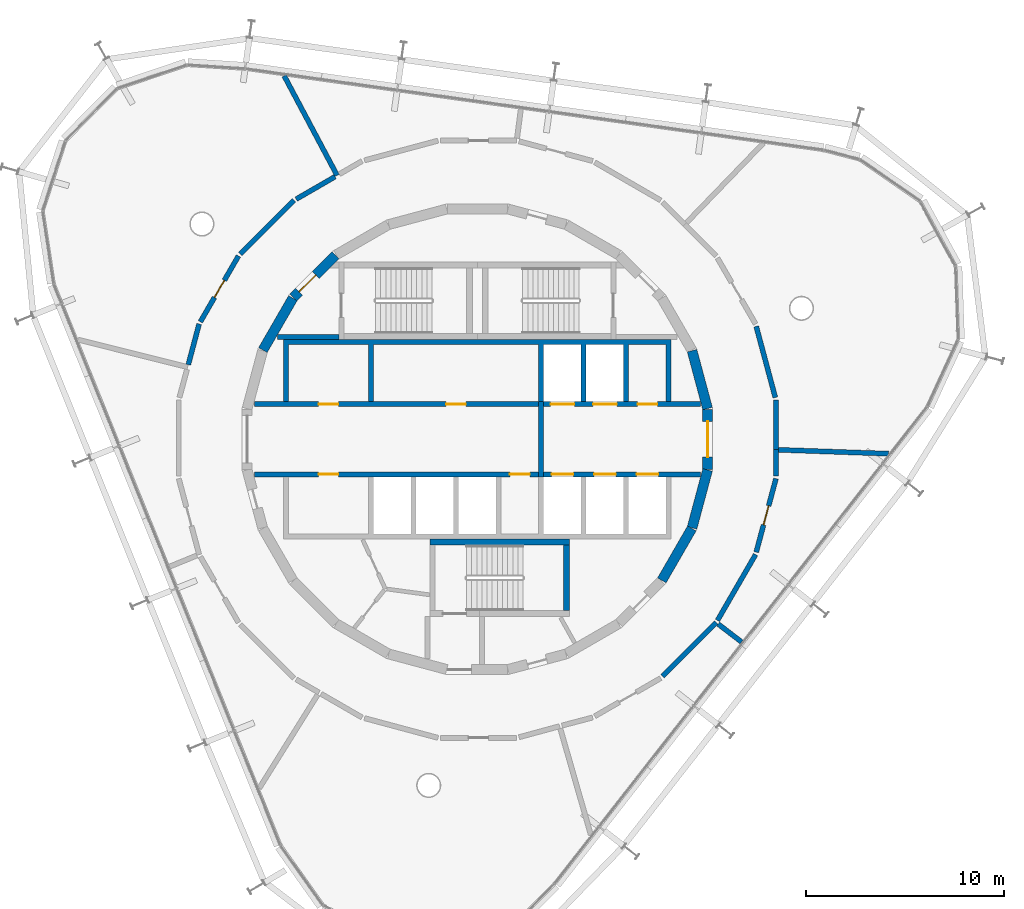
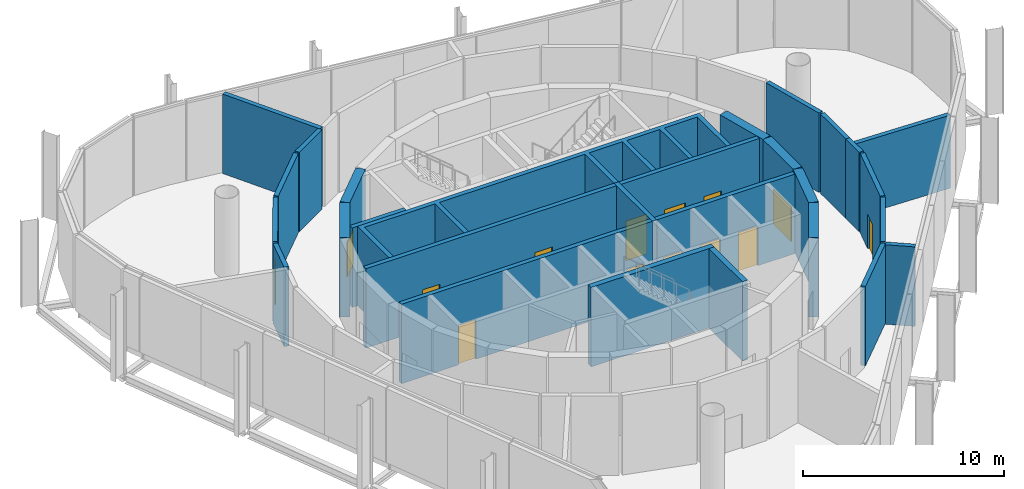
# One storey, part 10 of 12: 28 walls, 14 doors, 14 openings.
"""IFC4 building model written with IfcOpenShell, lengths in metres."""

from ifc_helpers import new_model, si_unit, direction, frame, frame_2d, origin, place, context, subcontext, project, spatial, polyline, rectangle, outline, extrude, material, layer, layer_set, type_object, element, fill, save


model = new_model("IFC4")

# Units and contexts
model_context = context("Model", 3, precision=1e-05, world=origin(), true_north=direction((0.0, 1.0)))
body_context = subcontext(model_context, "Body", "Model", "MODEL_VIEW")
ifc_project = project(units=[si_unit("LENGTHUNIT", "METRE"), si_unit("AREAUNIT", "SQUARE_METRE"), si_unit("VOLUMEUNIT", "CUBIC_METRE"), si_unit("PLANEANGLEUNIT", "RADIAN"), si_unit("MASSUNIT", "GRAM", prefix="KILO")], contexts=[model_context])

# Site, building, storey
site_placement = place(None, origin())
site = spatial("IfcSite", under=ifc_project, at=site_placement, CompositionType="ELEMENT")
building_placement = place(site_placement, origin())
building = spatial("IfcBuilding", under=site, at=building_placement, Name="Spindle Arch Residences", CompositionType="ELEMENT")
storey_placement = place(building_placement, frame((0.0, 0.0, 361.0)))
storey = spatial("IfcBuildingStorey", under=building, at=storey_placement, Name="L93", CompositionType="ELEMENT", Elevation=361.0)

# Walls
ifc_material_1 = material(Name="Concrete C50/60", Category="concrete")
ifc_layer_1 = layer(ifc_material_1, 0.5)
ifc_layer_set_1 = layer_set([ifc_layer_1], Name="Core outline wall 500")
wall_type_1 = type_object("IfcWallType", Name="Core outline wall 500", PredefinedType="SHEAR", material=ifc_layer_set_1)
for number, where, z_axis, x_axis, name in (
    (1, (9.32861328125, -7.13671875, 0.0), (0.0, 0.0, 1.0), (0.500087131594, 0.865975092491, 0.0), "Core outline wall 4"),
    (2, (10.858154296875, -4.479248046875, 0.0), (0.0, 0.0, 1.0), (0.258734743916, 0.965948410781, 0.0), "Core outline wall 5"),
):
    element("IfcWall", number, at=place(storey_placement, frame(where, z_axis=z_axis, x_axis=x_axis)), inside=storey, type_object=wall_type_1, Name=name, PredefinedType="SHEAR", context=body_context, shape_type="SweptSolid", body=[
        extrude(rectangle(XDim=3.03271484375, YDim=0.5, at=frame_2d((1.516357421875, 0.0))), origin(), (0.0, 0.0, 1.0), 4.820068359375),
    ])

# Wall, opening, door
wall_1_placement = place(storey_placement, frame((11.647216796875, -1.516357421875, 0.0), z_axis=(0.0, 0.0, 1.0), x_axis=(0.0, 1.0, 0.0)))
wall_1 = element("IfcWall", 3, at=wall_1_placement, inside=storey, type_object=wall_type_1, Name="Core outline wall 6", PredefinedType="SHEAR", context=body_context, shape_type="SweptSolid", body=[
    extrude(rectangle(XDim=3.03271484375, YDim=0.5, at=frame_2d((1.516357421875, 0.0))), origin(), (0.0, 0.0, 1.0), 4.820068359375),
])
opening_1_placement = place(wall_1_placement, frame((0.6162109375, 0.0, 0.0)))
opening_1 = element("IfcOpeningElement", 4, at=opening_1_placement, cuts=wall_1, Name="Opening L93-FE01", PredefinedType="OPENING", context=body_context, shape_type="SweptSolid", body=[
    extrude(rectangle(XDim=1.800048828125, YDim=2.10009765625, at=frame_2d((0.89990234375, 1.050048828125))), frame((0.0, 0.260009765625, 0.0), z_axis=(0.0, -1.0, 0.0), x_axis=(1.0, 0.0, 0.0)), (0.0, 0.0, 1.0), 0.52001953125),
])
ifc_material_2 = material(Name="Steel, fire-resisting door", Category="steel")
door_type_1 = type_object("IfcDoorType", Name="Fire-lift lobby door 1800x2100", OperationType="DOUBLE_DOOR_SINGLE_SWING", PredefinedType="DOOR", material=ifc_material_2)
door_1_placement = place(opening_1_placement, origin())
door_1 = element("IfcDoor", 5, at=door_1_placement, inside=storey, type_object=door_type_1, Name="Fire-lift lobby door L93-FE01", OperationType="DOUBLE_DOOR_SINGLE_SWING", OverallHeight=2.10009765625, OverallWidth=1.800048828125, PredefinedType="DOOR", context=body_context, shape_type="SweptSolid", body=[
    extrude(rectangle(XDim=1.800048828125, YDim=2.10009765625, at=frame_2d((0.89990234375, 1.050048828125))), frame((0.0, 0.02490234375, 0.0), z_axis=(0.0, -1.0, 0.0), x_axis=(1.0, 0.0, 0.0)), (0.0, 0.0, 1.0), 0.050048828125),
])
fill(opening_1, door_1)

# Wall
wall_2_placement = place(storey_placement, frame((11.642822265625, 1.5498046875, 0.0), z_axis=(0.0, 0.0, 1.0), x_axis=(-0.258734743916, 0.965948410781, 0.0)))
element("IfcWall", 6, at=wall_2_placement, inside=storey, type_object=wall_type_1, Name="Core outline wall 7", PredefinedType="SHEAR", context=body_context, shape_type="SweptSolid", body=[
    extrude(rectangle(XDim=3.03271484375, YDim=0.5, at=frame_2d((1.516357421875, 0.0))), origin(), (0.0, 0.0, 1.0), 4.820068359375),
])

# Wall, opening, door
wall_3_placement = place(storey_placement, frame((-7.163818359375, 9.30810546875, 0.0), z_axis=(0.0, 0.0, 1.0), x_axis=(-0.707106781187, -0.707106781187, 0.0)))
wall_3 = element("IfcWall", 7, at=wall_3_placement, inside=storey, type_object=wall_type_1, Name="Core outline wall 15", PredefinedType="SHEAR", context=body_context, shape_type="SweptSolid", body=[
    extrude(rectangle(XDim=3.032470703125, YDim=0.5, at=frame_2d((1.51611328125, 0.0))), origin(), (0.0, 0.0, 1.0), 4.820068359375),
])
opening_2_placement = place(wall_3_placement, frame((1.416259765625, 0.0, 0.0)))
opening_2 = element("IfcOpeningElement", 8, at=opening_2_placement, cuts=wall_3, Name="Opening L93-AD02", PredefinedType="OPENING", context=body_context, shape_type="SweptSolid", body=[
    extrude(rectangle(XDim=1.199951171875, YDim=2.10009765625, at=frame_2d((0.60009765625, 1.050048828125))), frame((0.0, 0.260009765625, 0.0), z_axis=(0.0, -1.0, 0.0), x_axis=(1.0, 0.0, 0.0)), (0.0, 0.0, 1.0), 0.52001953125),
])
ifc_material_3 = material(Name="Steel, fire-resisting door", Category="steel")
door_type_2 = type_object("IfcDoorType", Name="Stair airlock door 1200x2100", OperationType="SINGLE_SWING_LEFT", PredefinedType="DOOR", material=ifc_material_3)
door_2_placement = place(opening_2_placement, origin())
door_2 = element("IfcDoor", 9, at=door_2_placement, inside=storey, type_object=door_type_2, Name="Stair airlock door L93-AD02", OperationType="SINGLE_SWING_RIGHT", OverallHeight=2.10009765625, OverallWidth=1.199951171875, PredefinedType="DOOR", context=body_context, shape_type="SweptSolid", body=[
    extrude(rectangle(XDim=1.199951171875, YDim=2.10009765625, at=frame_2d((0.60009765625, 1.050048828125))), frame((0.0, 0.02490234375, 0.0), z_axis=(0.0, -1.0, 0.0), x_axis=(1.0, 0.0, 0.0)), (0.0, 0.0, 1.0), 0.050048828125),
])
fill(opening_2, door_2)

# Wall
wall_4_placement = place(storey_placement, frame((-9.32861328125, 7.13671875, 0.0), z_axis=(0.0, 0.0, 1.0), x_axis=(-0.500087131594, -0.865975092491, 0.0)))
element("IfcWall", 10, at=wall_4_placement, inside=storey, type_object=wall_type_1, Name="Core outline wall 16", PredefinedType="SHEAR", context=body_context, shape_type="SweptSolid", body=[
    extrude(rectangle(XDim=3.03271484375, YDim=0.5, at=frame_2d((1.516357421875, 0.0))), origin(), (0.0, 0.0, 1.0), 4.820068359375),
])

# Wall, openings, doors
ifc_material_4 = material(Name="Concrete C40/50", Category="concrete")
ifc_layer_2 = layer(ifc_material_4, 0.25)
ifc_layer_set_2 = layer_set([ifc_layer_2], Name="Fire-lift lobby wall 250")
wall_type_2 = type_object("IfcWallType", Name="Fire-lift lobby wall 250", PredefinedType="SHEAR", material=ifc_layer_set_2)
wall_5_placement = place(storey_placement, frame((3.35009765625, 1.77490234375, 0.0), z_axis=(0.0, 0.0, 1.0), x_axis=(1.0, 0.0, 0.0)))
wall_5 = element("IfcWall", 11, at=wall_5_placement, inside=storey, type_object=wall_type_2, Name="Lift shaft front wall NE", PredefinedType="SHEAR", context=body_context, shape_type="SweptSolid", body=[
    extrude(rectangle(XDim=7.929931640625, YDim=0.25, at=frame_2d((3.96484375, 0.0))), origin(), (0.0, 0.0, 1.0), 4.820068359375),
])
opening_3_placement = place(wall_5_placement, frame((0.35009765625, 0.0, 0.0)))
opening_3 = element("IfcOpeningElement", 12, at=opening_3_placement, cuts=wall_5, Name="Opening L93-SLD01", PredefinedType="OPENING", context=body_context, shape_type="SweptSolid", body=[
    extrude(rectangle(XDim=1.199951171875, YDim=2.39990234375, at=frame_2d((0.60009765625, 1.199951171875))), frame((0.0, 0.135009765625, 0.0), z_axis=(0.0, -1.0, 0.0), x_axis=(1.0, 0.0, 0.0)), (0.0, 0.0, 1.0), 0.27001953125),
])
opening_4_placement = place(wall_5_placement, frame((2.5, 0.0, 0.0)))
opening_4 = element("IfcOpeningElement", 13, at=opening_4_placement, cuts=wall_5, Name="Opening L93-SLD02", PredefinedType="OPENING", context=body_context, shape_type="SweptSolid", body=[
    extrude(rectangle(XDim=1.199951171875, YDim=2.39990234375, at=frame_2d((0.60009765625, 1.199951171875))), frame((0.0, 0.135009765625, 0.0), z_axis=(0.0, -1.0, 0.0), x_axis=(1.0, 0.0, 0.0)), (0.0, 0.0, 1.0), 0.27001953125),
])
opening_5_placement = place(wall_5_placement, frame((4.75, 0.0, 0.0)))
opening_5 = element("IfcOpeningElement", 14, at=opening_5_placement, cuts=wall_5, Name="Opening L93-PD03", PredefinedType="OPENING", context=body_context, shape_type="SweptSolid", body=[
    extrude(rectangle(XDim=1.0, YDim=2.39990234375, at=frame_2d((0.5, 1.199951171875))), frame((0.0, 0.135009765625, 0.0), z_axis=(0.0, -1.0, 0.0), x_axis=(1.0, 0.0, 0.0)), (0.0, 0.0, 1.0), 0.27001953125),
])
ifc_material_5 = material(Name="Steel, fire-resisting door", Category="steel")
door_type_3 = type_object("IfcDoorType", Name="Plant room door 1000x2400", OperationType="SINGLE_SWING_LEFT", PredefinedType="DOOR", material=ifc_material_5)
door_3_placement = place(opening_5_placement, origin())
door_3 = element("IfcDoor", 15, at=door_3_placement, inside=storey, type_object=door_type_3, Name="Plant room door L93-PD03", OperationType="SINGLE_SWING_RIGHT", OverallHeight=2.39990234375, OverallWidth=1.0, PredefinedType="DOOR", context=body_context, shape_type="SweptSolid", body=[
    extrude(rectangle(XDim=1.0, YDim=2.39990234375, at=frame_2d((0.5, 1.199951171875))), frame((0.0, 0.02490234375, 0.0), z_axis=(0.0, -1.0, 0.0), x_axis=(1.0, 0.0, 0.0)), (0.0, 0.0, 1.0), 0.050048828125),
])
fill(opening_5, door_3)
ifc_material_6 = material(Name="Steel, fire-resisting landing door", Category="steel")
door_type_4 = type_object("IfcDoorType", Name="Service lift landing door 1200x2400", OperationType="DOUBLE_DOOR_SLIDING", PredefinedType="DOOR", material=ifc_material_6)
door_4_placement = place(opening_3_placement, origin())
door_4 = element("IfcDoor", 16, at=door_4_placement, inside=storey, type_object=door_type_4, Name="Service lift landing door L93-SLD01", OperationType="DOUBLE_DOOR_SLIDING", OverallHeight=2.39990234375, OverallWidth=1.199951171875, PredefinedType="DOOR", context=body_context, shape_type="SweptSolid", body=[
    extrude(rectangle(XDim=1.199951171875, YDim=2.39990234375, at=frame_2d((0.60009765625, 1.199951171875))), frame((0.0, 0.02490234375, 0.0), z_axis=(0.0, -1.0, 0.0), x_axis=(1.0, 0.0, 0.0)), (0.0, 0.0, 1.0), 0.050048828125),
])
fill(opening_3, door_4)
door_5_placement = place(opening_4_placement, origin())
door_5 = element("IfcDoor", 17, at=door_5_placement, inside=storey, type_object=door_type_4, Name="Service lift landing door L93-SLD02", OperationType="DOUBLE_DOOR_SLIDING", OverallHeight=2.39990234375, OverallWidth=1.199951171875, PredefinedType="DOOR", context=body_context, shape_type="SweptSolid", body=[
    extrude(rectangle(XDim=1.199951171875, YDim=2.39990234375, at=frame_2d((0.60009765625, 1.199951171875))), frame((0.0, 0.02490234375, 0.0), z_axis=(0.0, -1.0, 0.0), x_axis=(1.0, 0.0, 0.0)), (0.0, 0.0, 1.0), 0.050048828125),
])
fill(opening_4, door_5)

# Wall
wall_6_placement = place(storey_placement, frame((3.22509765625, -1.89990234375, 0.0), z_axis=(0.0, 0.0, 1.0), x_axis=(0.0, 1.0, 0.0)))
element("IfcWall", 18, at=wall_6_placement, inside=storey, type_object=wall_type_2, Name="Fire-fighting lobby partition", PredefinedType="SHEAR", context=body_context, shape_type="SweptSolid", body=[
    extrude(rectangle(XDim=3.7998046875, YDim=0.25, at=frame_2d((1.89990234375, 0.0))), origin(), (0.0, 0.0, 1.0), 4.820068359375),
])

# Wall, openings, doors
ifc_material_7 = material(Name="Concrete C50/60", Category="concrete")
ifc_layer_3 = layer(ifc_material_7, 0.25)
ifc_layer_set_3 = layer_set([ifc_layer_3], Name="Fire-lift shaft wall 250")
wall_type_3 = type_object("IfcWallType", Name="Fire-lift shaft wall 250", PredefinedType="SHEAR", material=ifc_layer_set_3)
wall_7_placement = place(storey_placement, frame((3.35009765625, -1.77490234375, 0.0), z_axis=(0.0, 0.0, 1.0), x_axis=(1.0, 0.0, 0.0)))
wall_7 = element("IfcWall", 19, at=wall_7_placement, inside=storey, type_object=wall_type_3, Name="Lift shaft front wall SE", PredefinedType="SHEAR", context=body_context, shape_type="SweptSolid", body=[
    extrude(rectangle(XDim=7.929931640625, YDim=0.25, at=frame_2d((3.96484375, 0.0))), origin(), (0.0, 0.0, 1.0), 4.820068359375),
])
opening_6_placement = place(wall_7_placement, frame((0.39990234375, 0.0, 0.0)))
opening_6 = element("IfcOpeningElement", 20, at=opening_6_placement, cuts=wall_7, Name="Opening L93-FLD01", PredefinedType="OPENING", context=body_context, shape_type="SweptSolid", body=[
    extrude(rectangle(XDim=1.10009765625, YDim=2.39990234375, at=frame_2d((0.550048828125, 1.199951171875))), frame((0.0, 0.135009765625, 0.0), z_axis=(0.0, -1.0, 0.0), x_axis=(1.0, 0.0, 0.0)), (0.0, 0.0, 1.0), 0.27001953125),
])
opening_7_placement = place(wall_7_placement, frame((2.550048828125, 0.0, 0.0)))
opening_7 = element("IfcOpeningElement", 21, at=opening_7_placement, cuts=wall_7, Name="Opening L93-FLD02", PredefinedType="OPENING", context=body_context, shape_type="SweptSolid", body=[
    extrude(rectangle(XDim=1.10009765625, YDim=2.39990234375, at=frame_2d((0.550048828125, 1.199951171875))), frame((0.0, 0.135009765625, 0.0), z_axis=(0.0, -1.0, 0.0), x_axis=(1.0, 0.0, 0.0)), (0.0, 0.0, 1.0), 0.27001953125),
])
opening_8_placement = place(wall_7_placement, frame((4.699951171875, 0.0, 0.0)))
opening_8 = element("IfcOpeningElement", 22, at=opening_8_placement, cuts=wall_7, Name="Opening L93-FLD03", PredefinedType="OPENING", context=body_context, shape_type="SweptSolid", body=[
    extrude(rectangle(XDim=1.10009765625, YDim=2.39990234375, at=frame_2d((0.550048828125, 1.199951171875))), frame((0.0, 0.135009765625, 0.0), z_axis=(0.0, -1.0, 0.0), x_axis=(1.0, 0.0, 0.0)), (0.0, 0.0, 1.0), 0.27001953125),
])
ifc_material_8 = material(Name="Steel, fire-resisting landing door", Category="steel")
door_type_5 = type_object("IfcDoorType", Name="Fire-fighting lift landing door 1100x2400", OperationType="DOUBLE_DOOR_SLIDING", PredefinedType="DOOR", material=ifc_material_8)
door_6_placement = place(opening_6_placement, origin())
door_6 = element("IfcDoor", 23, at=door_6_placement, inside=storey, type_object=door_type_5, Name="Fire-fighting lift landing door L93-FLD01", OperationType="DOUBLE_DOOR_SLIDING", OverallHeight=2.39990234375, OverallWidth=1.10009765625, PredefinedType="DOOR", context=body_context, shape_type="SweptSolid", body=[
    extrude(rectangle(XDim=1.10009765625, YDim=2.39990234375, at=frame_2d((0.550048828125, 1.199951171875))), frame((0.0, 0.02490234375, 0.0), z_axis=(0.0, -1.0, 0.0), x_axis=(1.0, 0.0, 0.0)), (0.0, 0.0, 1.0), 0.050048828125),
])
fill(opening_6, door_6)
door_7_placement = place(opening_7_placement, origin())
door_7 = element("IfcDoor", 24, at=door_7_placement, inside=storey, type_object=door_type_5, Name="Fire-fighting lift landing door L93-FLD02", OperationType="DOUBLE_DOOR_SLIDING", OverallHeight=2.39990234375, OverallWidth=1.10009765625, PredefinedType="DOOR", context=body_context, shape_type="SweptSolid", body=[
    extrude(rectangle(XDim=1.10009765625, YDim=2.39990234375, at=frame_2d((0.550048828125, 1.199951171875))), frame((0.0, 0.02490234375, 0.0), z_axis=(0.0, -1.0, 0.0), x_axis=(1.0, 0.0, 0.0)), (0.0, 0.0, 1.0), 0.050048828125),
])
fill(opening_7, door_7)
door_8_placement = place(opening_8_placement, origin())
door_8 = element("IfcDoor", 25, at=door_8_placement, inside=storey, type_object=door_type_5, Name="Fire-fighting lift landing door L93-FLD03", OperationType="DOUBLE_DOOR_SLIDING", OverallHeight=2.39990234375, OverallWidth=1.10009765625, PredefinedType="DOOR", context=body_context, shape_type="SweptSolid", body=[
    extrude(rectangle(XDim=1.10009765625, YDim=2.39990234375, at=frame_2d((0.550048828125, 1.199951171875))), frame((0.0, 0.02490234375, 0.0), z_axis=(0.0, -1.0, 0.0), x_axis=(1.0, 0.0, 0.0)), (0.0, 0.0, 1.0), 0.050048828125),
])
fill(opening_8, door_8)

ifc_material_9 = material(Name="Concrete C50/60", Category="concrete")
ifc_layer_4 = layer(ifc_material_9, 0.25)
ifc_layer_set_4 = layer_set([ifc_layer_4], Name="Lift shaft wall 250")
wall_type_4 = type_object("IfcWallType", Name="Lift shaft wall 250", PredefinedType="SHEAR", material=ifc_layer_set_4)
wall_8_placement = place(storey_placement, frame((-11.280029296875, 1.77490234375, 0.0), z_axis=(0.0, 0.0, 1.0), x_axis=(1.0, 0.0, 0.0)))
wall_8 = element("IfcWall", 26, at=wall_8_placement, inside=storey, type_object=wall_type_4, Name="Lift shaft front wall NW", PredefinedType="SHEAR", context=body_context, shape_type="SweptSolid", body=[
    extrude(rectangle(XDim=14.380126953125, YDim=0.25, at=frame_2d((7.18994140625, 0.0))), origin(), (0.0, 0.0, 1.0), 4.820068359375),
])
opening_9_placement = place(wall_8_placement, frame((3.2548828125, 0.0, 0.0)))
opening_9 = element("IfcOpeningElement", 27, at=opening_9_placement, cuts=wall_8, Name="Opening L93-PD01", PredefinedType="OPENING", context=body_context, shape_type="SweptSolid", body=[
    extrude(rectangle(XDim=1.0, YDim=2.39990234375, at=frame_2d((0.5, 1.199951171875))), frame((0.0, 0.135009765625, 0.0), z_axis=(0.0, -1.0, 0.0), x_axis=(1.0, 0.0, 0.0)), (0.0, 0.0, 1.0), 0.27001953125),
])
opening_10_placement = place(wall_8_placement, frame((9.705078125, 0.0, 0.0)))
opening_10 = element("IfcOpeningElement", 28, at=opening_10_placement, cuts=wall_8, Name="Opening L93-PD02", PredefinedType="OPENING", context=body_context, shape_type="SweptSolid", body=[
    extrude(rectangle(XDim=1.0, YDim=2.39990234375, at=frame_2d((0.5, 1.199951171875))), frame((0.0, 0.135009765625, 0.0), z_axis=(0.0, -1.0, 0.0), x_axis=(1.0, 0.0, 0.0)), (0.0, 0.0, 1.0), 0.27001953125),
])
door_9_placement = place(opening_9_placement, origin())
door_9 = element("IfcDoor", 29, at=door_9_placement, inside=storey, type_object=door_type_3, Name="Plant room door L93-PD01", OperationType="SINGLE_SWING_RIGHT", OverallHeight=2.39990234375, OverallWidth=1.0, PredefinedType="DOOR", context=body_context, shape_type="SweptSolid", body=[
    extrude(rectangle(XDim=1.0, YDim=2.39990234375, at=frame_2d((0.5, 1.199951171875))), frame((0.0, 0.02490234375, 0.0), z_axis=(0.0, -1.0, 0.0), x_axis=(1.0, 0.0, 0.0)), (0.0, 0.0, 1.0), 0.050048828125),
])
fill(opening_9, door_9)
door_10_placement = place(opening_10_placement, origin())
door_10 = element("IfcDoor", 30, at=door_10_placement, inside=storey, type_object=door_type_3, Name="Plant room door L93-PD02", OperationType="SINGLE_SWING_LEFT", OverallHeight=2.39990234375, OverallWidth=1.0, PredefinedType="DOOR", context=body_context, shape_type="SweptSolid", body=[
    extrude(rectangle(XDim=1.0, YDim=2.39990234375, at=frame_2d((0.5, 1.199951171875))), frame((0.0, 0.02490234375, 0.0), z_axis=(0.0, -1.0, 0.0), x_axis=(1.0, 0.0, 0.0)), (0.0, 0.0, 1.0), 0.050048828125),
])
fill(opening_10, door_10)

wall_9_placement = place(storey_placement, frame((-11.280029296875, -1.77490234375, 0.0), z_axis=(0.0, 0.0, 1.0), x_axis=(1.0, 0.0, 0.0)))
wall_9 = element("IfcWall", 31, at=wall_9_placement, inside=storey, type_object=wall_type_4, Name="Lift shaft front wall SW", PredefinedType="SHEAR", context=body_context, shape_type="SweptSolid", body=[
    extrude(rectangle(XDim=14.380126953125, YDim=0.25, at=frame_2d((7.18994140625, 0.0))), origin(), (0.0, 0.0, 1.0), 4.820068359375),
])
opening_11_placement = place(wall_9_placement, frame((3.2548828125, 0.0, 0.0)))
opening_11 = element("IfcOpeningElement", 32, at=opening_11_placement, cuts=wall_9, Name="Opening L93-PD04", PredefinedType="OPENING", context=body_context, shape_type="SweptSolid", body=[
    extrude(rectangle(XDim=1.0, YDim=2.39990234375, at=frame_2d((0.5, 1.199951171875))), frame((0.0, 0.135009765625, 0.0), z_axis=(0.0, -1.0, 0.0), x_axis=(1.0, 0.0, 0.0)), (0.0, 0.0, 1.0), 0.27001953125),
])
opening_12_placement = place(wall_9_placement, frame((12.929931640625, 0.0, 0.0)))
opening_12 = element("IfcOpeningElement", 33, at=opening_12_placement, cuts=wall_9, Name="Opening L93-PD05", PredefinedType="OPENING", context=body_context, shape_type="SweptSolid", body=[
    extrude(rectangle(XDim=1.0, YDim=2.39990234375, at=frame_2d((0.5, 1.199951171875))), frame((0.0, 0.135009765625, 0.0), z_axis=(0.0, -1.0, 0.0), x_axis=(1.0, 0.0, 0.0)), (0.0, 0.0, 1.0), 0.27001953125),
])
door_11_placement = place(opening_11_placement, origin())
door_11 = element("IfcDoor", 34, at=door_11_placement, inside=storey, type_object=door_type_3, Name="Plant room door L93-PD04", OperationType="SINGLE_SWING_LEFT", OverallHeight=2.39990234375, OverallWidth=1.0, PredefinedType="DOOR", context=body_context, shape_type="SweptSolid", body=[
    extrude(rectangle(XDim=1.0, YDim=2.39990234375, at=frame_2d((0.5, 1.199951171875))), frame((0.0, 0.02490234375, 0.0), z_axis=(0.0, -1.0, 0.0), x_axis=(1.0, 0.0, 0.0)), (0.0, 0.0, 1.0), 0.050048828125),
])
fill(opening_11, door_11)
door_12_placement = place(opening_12_placement, origin())
door_12 = element("IfcDoor", 35, at=door_12_placement, inside=storey, type_object=door_type_3, Name="Plant room door L93-PD05", OperationType="SINGLE_SWING_RIGHT", OverallHeight=2.39990234375, OverallWidth=1.0, PredefinedType="DOOR", context=body_context, shape_type="SweptSolid", body=[
    extrude(rectangle(XDim=1.0, YDim=2.39990234375, at=frame_2d((0.5, 1.199951171875))), frame((0.0, 0.02490234375, 0.0), z_axis=(0.0, -1.0, 0.0), x_axis=(1.0, 0.0, 0.0)), (0.0, 0.0, 1.0), 0.050048828125),
])
fill(opening_12, door_12)

# Walls
ifc_material_10 = material(Name="Concrete C50/60", Category="concrete")
wall_type_5 = type_object("IfcWallType", Name="Lift shaft wall profile", PredefinedType="SHEAR", material=ifc_material_10)
wall_10_placement = place(storey_placement, origin())
element("IfcWall", 36, at=wall_10_placement, inside=storey, type_object=wall_type_5, Name="Lift shaft walls N", PredefinedType="SHEAR", context=body_context, shape_type="SweptSolid", body=[
    extrude(outline(polyline([(-9.800048828125, 1.89990234375), (-9.550048828125, 1.89990234375), (-9.550048828125, 4.800048828125), (-5.5, 4.800048828125), (-5.5, 1.89990234375), (-5.25, 1.89990234375), (-5.25, 4.800048828125), (3.10009765625, 4.800048828125), (3.10009765625, 1.89990234375), (3.35009765625, 1.89990234375), (3.35009765625, 4.800048828125), (5.25, 4.800048828125), (5.25, 1.89990234375), (5.5, 1.89990234375), (5.5, 4.800048828125), (7.39990234375, 4.800048828125), (7.39990234375, 1.89990234375), (7.64990234375, 1.89990234375), (7.64990234375, 4.800048828125), (9.550048828125, 4.800048828125), (9.550048828125, 1.89990234375), (9.800048828125, 1.89990234375), (9.800048828125, 4.800048828125), (9.800048828125, 5.050048828125), (-9.800048828125, 5.050048828125), (-9.800048828125, 4.800048828125), (-9.800048828125, 1.89990234375)])), origin(), (0.0, 0.0, 1.0), 4.820068359375),
])
ifc_material_11 = material(Name="Concrete C25/30 wall", Category="concrete")
ifc_layer_5 = layer(ifc_material_11, 0.25)
ifc_layer_set_5 = layer_set([ifc_layer_5], Name="Partition EI 120 250 plant")
wall_type_6 = type_object("IfcWallType", Name="Partition EI 120 250 plant", PredefinedType="PARTITIONING", material=ifc_layer_set_5)
wall_11_placement = place(storey_placement, frame((-14.070068359375, 5.830078125, 0.0), z_axis=(0.0, 0.0, 1.0), x_axis=(-0.25709213915, -0.9663868956, 0.0)))
element("IfcWall", 37, at=wall_11_placement, inside=storey, type_object=wall_type_6, Name="L93-W007", PredefinedType="PARTITIONING", context=body_context, shape_type="SweptSolid", body=[
    extrude(rectangle(XDim=2.130859375, YDim=0.25, at=frame_2d((1.0654296875, 0.0))), origin(), (0.0, 0.0, 1.0), 4.820068359375),
])

# Wall, opening, door
wall_12_placement = place(storey_placement, frame((-12.080078125, 9.27001953125, 0.0), z_axis=(0.0, 0.0, 1.0), x_axis=(-0.500708693508, -0.865615852585, 0.0)))
wall_12 = element("IfcWall", 38, at=wall_12_placement, inside=storey, type_object=wall_type_6, Name="L93-W009", PredefinedType="PARTITIONING", context=body_context, shape_type="SweptSolid", body=[
    extrude(rectangle(XDim=3.84912109375, YDim=0.25, at=frame_2d((1.924560546875, 0.0))), origin(), (0.0, 0.0, 1.0), 4.820068359375),
])
opening_13_placement = place(wall_12_placement, frame((1.424560546875, 0.0, 0.0)))
opening_13 = element("IfcOpeningElement", 39, at=opening_13_placement, cuts=wall_12, Name="Opening L93-D07", PredefinedType="OPENING", context=body_context, shape_type="SweptSolid", body=[
    extrude(rectangle(XDim=1.0, YDim=2.10009765625, at=frame_2d((0.5, 1.050048828125))), frame((0.0, 0.135009765625, 0.0), z_axis=(0.0, -1.0, 0.0), x_axis=(1.0, 0.0, 0.0)), (0.0, 0.0, 1.0), 0.27001953125),
])
ifc_material_12 = material(Name="Steel door leaf, painted", Category="steel")
door_type_6 = type_object("IfcDoorType", Name="Door 1000x2100 EI 60", OperationType="SINGLE_SWING_LEFT", PredefinedType="DOOR", material=ifc_material_12)
door_13_placement = place(opening_13_placement, origin())
door_13 = element("IfcDoor", 40, at=door_13_placement, inside=storey, type_object=door_type_6, Name="L93-D07", OperationType="SINGLE_SWING_LEFT", OverallHeight=2.10009765625, OverallWidth=1.0, PredefinedType="DOOR", context=body_context, shape_type="SweptSolid", body=[
    extrude(rectangle(XDim=1.0, YDim=2.10009765625, at=frame_2d((0.5, 1.050048828125))), frame((0.0, 0.02490234375, 0.0), z_axis=(0.0, -1.0, 0.0), x_axis=(1.0, 0.0, 0.0)), (0.0, 0.0, 1.0), 0.050048828125),
])
fill(opening_13, door_13)

# Walls
wall_13_placement = place(storey_placement, frame((-9.77001953125, 18.3798828125, 0.0), z_axis=(0.0, 0.0, 1.0), x_axis=(0.469502312853, -0.882931242072, 0.0)))
element("IfcWall", 41, at=wall_13_placement, inside=storey, type_object=wall_type_6, Name="L93-W010", PredefinedType="PARTITIONING", context=body_context, shape_type="SweptSolid", body=[
    extrude(rectangle(XDim=5.7080078125, YDim=0.25, at=frame_2d((2.85400390625, 0.0))), origin(), (0.0, 0.0, 1.0), 4.820068359375),
])
wall_14_placement = place(storey_placement, frame((-9.27001953125, 12.080078125, 0.0), z_axis=(0.0, 0.0, 1.0), x_axis=(-0.707106781187, -0.707106781187, 0.0)))
element("IfcWall", 42, at=wall_14_placement, inside=storey, type_object=wall_type_6, Name="L93-W012", PredefinedType="PARTITIONING", context=body_context, shape_type="SweptSolid", body=[
    extrude(rectangle(XDim=3.84912109375, YDim=0.25, at=frame_2d((1.924560546875, 0.0))), origin(), (0.0, 0.0, 1.0), 4.820068359375),
])
wall_15_placement = place(storey_placement, frame((-7.1982421875, 13.27734375, 0.0), z_axis=(0.0, 0.0, 1.0), x_axis=(-0.865821548015, -0.500352922439, 0.0)))
element("IfcWall", 43, at=wall_15_placement, inside=storey, type_object=wall_type_6, Name="L93-W015", PredefinedType="PARTITIONING", context=body_context, shape_type="SweptSolid", body=[
    extrude(rectangle(XDim=2.267822265625, YDim=0.25, at=frame_2d((1.1337890625, 0.0))), origin(), (0.0, 0.0, 1.0), 4.820068359375),
])
wall_16_placement = place(storey_placement, frame((9.3583984375, -11.99169921875, 0.0), z_axis=(0.0, 0.0, 1.0), x_axis=(0.707106781187, 0.707106781187, 0.0)))
element("IfcWall", 44, at=wall_16_placement, inside=storey, type_object=wall_type_6, Name="L93-W027", PredefinedType="PARTITIONING", context=body_context, shape_type="SweptSolid", body=[
    extrude(rectangle(XDim=3.84912109375, YDim=0.25, at=frame_2d((1.924560546875, 0.0))), origin(), (0.0, 0.0, 1.0), 4.820068359375),
])
wall_17_placement = place(storey_placement, frame((12.17919921875, -9.345947265625, 0.0), z_axis=(0.0, 0.0, 1.0), x_axis=(0.794031553294, -0.607876543694, 0.0)))
element("IfcWall", 45, at=wall_17_placement, inside=storey, type_object=wall_type_6, Name="L93-W031", PredefinedType="PARTITIONING", context=body_context, shape_type="SweptSolid", body=[
    extrude(rectangle(XDim=1.4873046875, YDim=0.25, at=frame_2d((0.74365234375, 0.0))), origin(), (0.0, 0.0, 1.0), 4.820068359375),
])
wall_18_placement = place(storey_placement, frame((12.142578125, -9.161865234375, 0.0), z_axis=(0.0, 0.0, 1.0), x_axis=(0.500756218026, 0.865588360659, 0.0)))
element("IfcWall", 46, at=wall_18_placement, inside=storey, type_object=wall_type_6, Name="L93-W032", PredefinedType="PARTITIONING", context=body_context, shape_type="SweptSolid", body=[
    extrude(rectangle(XDim=3.84912109375, YDim=0.25, at=frame_2d((1.924560546875, 0.0))), origin(), (0.0, 0.0, 1.0), 4.820068359375),
])

# Wall, opening, door
wall_19_placement = place(storey_placement, frame((14.102294921875, -5.709228515625, 0.0), z_axis=(0.0, 0.0, 1.0), x_axis=(0.259118468411, 0.965845546311, 0.0)))
wall_19 = element("IfcWall", 47, at=wall_19_placement, inside=storey, type_object=wall_type_6, Name="L93-W034", PredefinedType="PARTITIONING", context=body_context, shape_type="SweptSolid", body=[
    extrude(rectangle(XDim=3.850830078125, YDim=0.25, at=frame_2d((1.92529296875, 0.0))), origin(), (0.0, 0.0, 1.0), 4.820068359375),
])
opening_14_placement = place(wall_19_placement, frame((1.42529296875, 0.0, 0.0)))
opening_14 = element("IfcOpeningElement", 48, at=opening_14_placement, cuts=wall_19, Name="Opening L93-D04", PredefinedType="OPENING", context=body_context, shape_type="SweptSolid", body=[
    extrude(rectangle(XDim=1.0, YDim=2.10009765625, at=frame_2d((0.5, 1.050048828125))), frame((0.0, 0.135009765625, 0.0), z_axis=(0.0, -1.0, 0.0), x_axis=(1.0, 0.0, 0.0)), (0.0, 0.0, 1.0), 0.27001953125),
])
door_14_placement = place(opening_14_placement, origin())
door_14 = element("IfcDoor", 49, at=door_14_placement, inside=storey, type_object=door_type_6, Name="L93-D04", OperationType="SINGLE_SWING_LEFT", OverallHeight=2.10009765625, OverallWidth=1.0, PredefinedType="DOOR", context=body_context, shape_type="SweptSolid", body=[
    extrude(rectangle(XDim=1.0, YDim=2.10009765625, at=frame_2d((0.5, 1.050048828125))), frame((0.0, 0.02490234375, 0.0), z_axis=(0.0, -1.0, 0.0), x_axis=(1.0, 0.0, 0.0)), (0.0, 0.0, 1.0), 0.050048828125),
])
fill(opening_14, door_14)

# Walls
wall_20_placement = place(storey_placement, frame((15.10009765625, -1.864990234375, 0.0), z_axis=(0.0, 0.0, 1.0), x_axis=(0.0, 1.0, 0.0)))
element("IfcWall", 50, at=wall_20_placement, inside=storey, type_object=wall_type_6, Name="L93-W036", PredefinedType="PARTITIONING", context=body_context, shape_type="SweptSolid", body=[
    extrude(rectangle(XDim=1.3349609375, YDim=0.25, at=frame_2d((0.66748046875, 0.0))), origin(), (0.0, 0.0, 1.0), 4.820068359375),
])
wall_21_placement = place(storey_placement, frame((15.10009765625, -0.530029296875, 0.0), z_axis=(0.0, 0.0, 1.0), x_axis=(0.0, 1.0, 0.0)))
element("IfcWall", 51, at=wall_21_placement, inside=storey, type_object=wall_type_6, Name="L93-W037", PredefinedType="PARTITIONING", context=body_context, shape_type="SweptSolid", body=[
    extrude(rectangle(XDim=2.52001953125, YDim=0.25, at=frame_2d((1.260009765625, 0.0))), origin(), (0.0, 0.0, 1.0), 4.820068359375),
])
wall_22_placement = place(storey_placement, frame((15.224853515625, -0.534423828125, 0.0), z_axis=(0.0, 0.0, 1.0), x_axis=(0.999385397325, -0.035054637557, 0.0)))
element("IfcWall", 52, at=wall_22_placement, inside=storey, type_object=wall_type_6, Name="L93-W038", PredefinedType="PARTITIONING", context=body_context, shape_type="SweptSolid", body=[
    extrude(rectangle(XDim=5.57861328125, YDim=0.25, at=frame_2d((2.789306640625, 0.0))), origin(), (0.0, 0.0, 1.0), 4.429931640625),
])
wall_23_placement = place(storey_placement, frame((15.067626953125, 2.11083984375, 0.0), z_axis=(0.0, 0.0, 1.0), x_axis=(-0.259106201401, 0.965848837239, 0.0)))
element("IfcWall", 53, at=wall_23_placement, inside=storey, type_object=wall_type_6, Name="L93-W039", PredefinedType="PARTITIONING", context=body_context, shape_type="SweptSolid", body=[
    extrude(rectangle(XDim=3.7255859375, YDim=0.25, at=frame_2d((1.86279296875, 0.0))), origin(), (0.0, 0.0, 1.0), 4.820068359375),
])
ifc_material_13 = material(Name="Concrete C40/50", Category="concrete")
ifc_layer_6 = layer(ifc_material_13, 0.25)
ifc_layer_set_6 = layer_set([ifc_layer_6], Name="Stair airlock wall 250")
wall_type_7 = type_object("IfcWallType", Name="Stair airlock wall 250", PredefinedType="SHEAR", material=ifc_layer_set_6)
wall_24_placement = place(storey_placement, frame((-7.0, 5.175048828125, 0.0), z_axis=(0.0, 0.0, 1.0), x_axis=(-1.0, 0.0, 0.0)))
element("IfcWall", 54, at=wall_24_placement, inside=storey, type_object=wall_type_7, Name="Stair ST-2 airlock wall S", PredefinedType="SHEAR", context=body_context, shape_type="SweptSolid", body=[
    extrude(rectangle(XDim=3.10009765625, YDim=0.25, at=frame_2d((1.550048828125, 0.0))), origin(), (0.0, 0.0, 1.0), 4.820068359375),
])
ifc_material_14 = material(Name="Concrete C50/60", Category="concrete")
ifc_layer_7 = layer(ifc_material_14, 0.300048828125)
ifc_layer_set_7 = layer_set([ifc_layer_7], Name="Stair enclosure wall 300")
wall_type_8 = type_object("IfcWallType", Name="Stair enclosure wall 300", PredefinedType="SHEAR", material=ifc_layer_set_7)
wall_25_placement = place(storey_placement, frame((-2.39990234375, -5.199951171875, 0.0), z_axis=(0.0, 0.0, 1.0), x_axis=(1.0, 0.0, 0.0)))
element("IfcWall", 55, at=wall_25_placement, inside=storey, type_object=wall_type_8, Name="Stair ST-3 enclosure wall N", PredefinedType="SHEAR", context=body_context, shape_type="SweptSolid", body=[
    extrude(rectangle(XDim=7.0498046875, YDim=0.300048828125, at=frame_2d((3.52490234375, 0.0))), origin(), (0.0, 0.0, 1.0), 4.820068359375),
])
wall_26_placement = place(storey_placement, frame((4.5, -8.669921875, 0.0), z_axis=(0.0, 0.0, 1.0), x_axis=(0.0, 1.0, 0.0)))
element("IfcWall", 56, at=wall_26_placement, inside=storey, type_object=wall_type_8, Name="Stair ST-3 enclosure wall E", PredefinedType="SHEAR", context=body_context, shape_type="SweptSolid", body=[
    extrude(rectangle(XDim=3.31982421875, YDim=0.300048828125, at=frame_2d((1.659912109375, 0.0))), origin(), (0.0, 0.0, 1.0), 4.820068359375),
])

save(model, "model.ifc")
